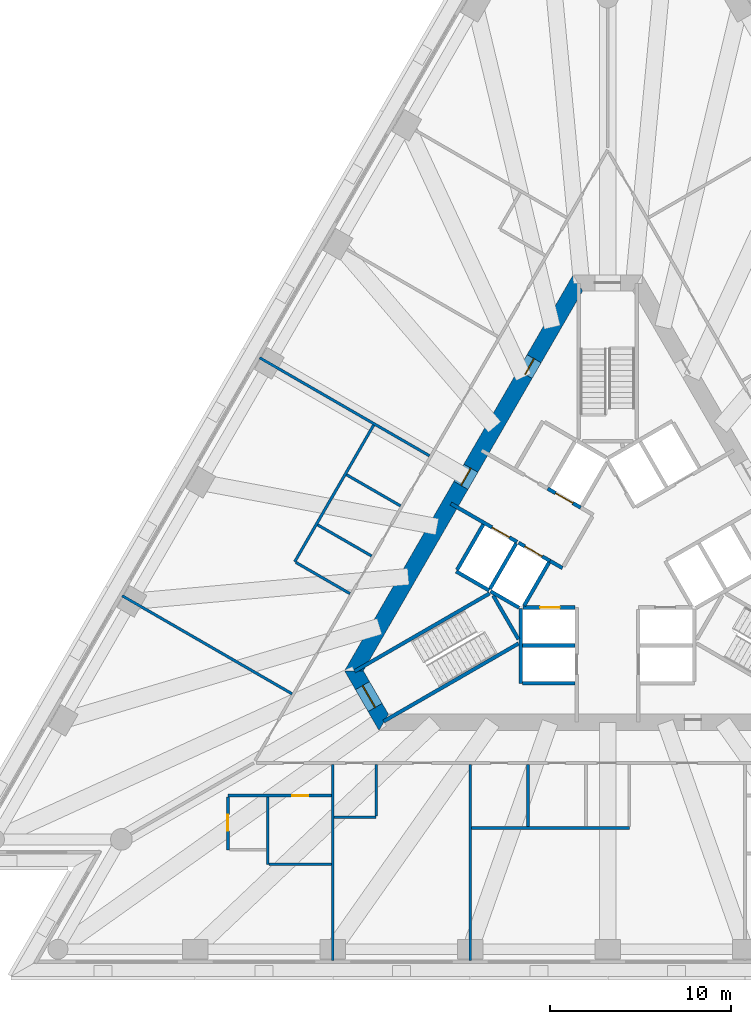
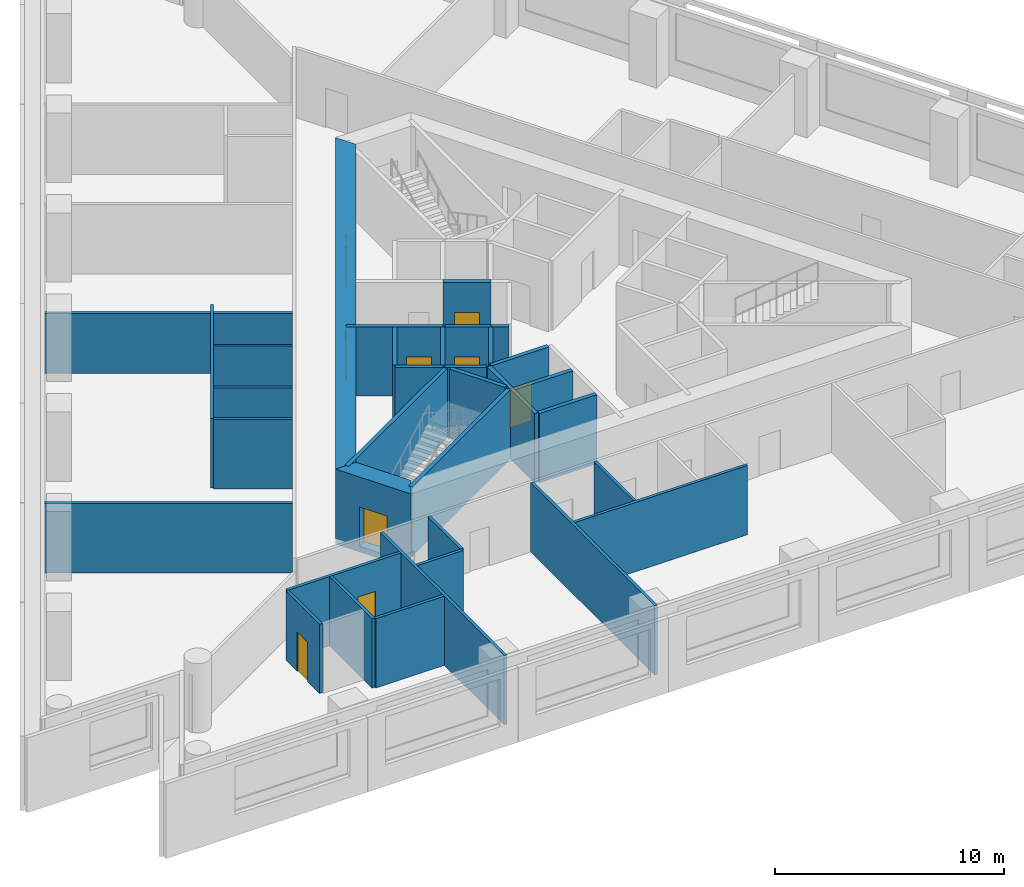
# One storey, part 3 of 11: 34 walls, 9 doors, 9 openings.
"""IFC4 building model written with IfcOpenShell, lengths in metres."""

from ifc_helpers import new_model, si_unit, direction, frame, frame_2d, origin, place, context, subcontext, project, spatial, polyline, rectangle, outline, extrude, material, layer, layer_set, type_object, element, fill, save


model = new_model("IFC4")

# Units and contexts
model_context = context("Model", 3, precision=1e-05, world=origin(), true_north=direction((0.0, 1.0)))
body_context = subcontext(model_context, "Body", "Model", "MODEL_VIEW")
ifc_project = project(units=[si_unit("LENGTHUNIT", "METRE"), si_unit("AREAUNIT", "SQUARE_METRE"), si_unit("VOLUMEUNIT", "CUBIC_METRE"), si_unit("PLANEANGLEUNIT", "RADIAN"), si_unit("MASSUNIT", "GRAM", prefix="KILO")], contexts=[model_context])

# Site, building, storey
site_placement = place(None, origin())
site = spatial("IfcSite", under=ifc_project, at=site_placement, CompositionType="ELEMENT")
building_placement = place(site_placement, origin())
building = spatial("IfcBuilding", under=site, at=building_placement, Name="Triada Interchange Tower", CompositionType="ELEMENT")
storey_placement = place(building_placement, frame((0.0, 0.0, 39.300048828125)))
storey = spatial("IfcBuildingStorey", under=building, at=storey_placement, Name="L07", CompositionType="ELEMENT", Elevation=39.300048828125)

# Walls
ifc_material_1 = material(Name="Concrete C30/37", Category="concrete")
ifc_layer_1 = layer(ifc_material_1, 0.199951171875)
ifc_layer_set_1 = layer_set([ifc_layer_1], Name="CORE WALL 200 EI 120")
wall_type_1 = type_object("IfcWallType", Name="CORE WALL 200 EI 120", PredefinedType="SOLIDWALL", material=ifc_layer_set_1)
wall_1_placement = place(storey_placement, frame((-8.3759765625, -0.70703125, 0.0), z_axis=(0.0, 0.0, 1.0), x_axis=(0.866067520717, -0.499927044236, 0.0)))
element("IfcWall", 1, at=wall_1_placement, inside=storey, type_object=wall_type_1, Name="Wall L06 46", PredefinedType="SOLIDWALL", context=body_context, shape_type="SweptSolid", body=[
    extrude(rectangle(XDim=2.100341796875, YDim=0.199951171875, at=frame_2d((1.05029296875, 0.0))), origin(), (0.0, 0.0, 1.0), 3.699951171875),
])
wall_2_placement = place(storey_placement, frame((-8.325927734375, -0.6201171875, 0.0), z_axis=(0.0, 0.0, 1.0), x_axis=(0.500023687443, 0.866011727401, 0.0)))
element("IfcWall", 2, at=wall_2_placement, inside=storey, type_object=wall_type_1, Name="Wall L06 47", PredefinedType="SOLIDWALL", context=body_context, shape_type="SweptSolid", body=[
    extrude(rectangle(XDim=2.899658203125, YDim=0.199951171875, at=frame_2d((1.44970703125, 0.0))), origin(), (0.0, 0.0, 1.0), 3.699951171875),
])
wall_3_placement = place(storey_placement, frame((-4.699951171875, -4.800048828125, 0.0), z_axis=(0.0, 0.0, 1.0), x_axis=(1.0, 0.0, 0.0)))
element("IfcWall", 3, at=wall_3_placement, inside=storey, type_object=wall_type_1, Name="Wall L06 48", PredefinedType="SOLIDWALL", context=body_context, shape_type="SweptSolid", body=[
    extrude(rectangle(XDim=2.89990234375, YDim=0.199951171875, at=frame_2d((1.449951171875, 0.0))), origin(), (0.0, 0.0, 1.0), 3.699951171875),
])
wall_4_placement = place(storey_placement, frame((-4.800048828125, -6.89990234375, 0.0), z_axis=(0.0, 0.0, 1.0), x_axis=(0.0, 1.0, 0.0)))
element("IfcWall", 4, at=wall_4_placement, inside=storey, type_object=wall_type_1, Name="Wall L06 50", PredefinedType="SOLIDWALL", context=body_context, shape_type="SweptSolid", body=[
    extrude(rectangle(XDim=4.130859375, YDim=0.199951171875, at=frame_2d((2.0654296875, 0.0))), origin(), (0.0, 0.0, 1.0), 3.699951171875),
])
wall_5_placement = place(storey_placement, frame((-4.699951171875, -6.89990234375, 0.0), z_axis=(0.0, 0.0, 1.0), x_axis=(1.0, 0.0, 0.0)))
element("IfcWall", 5, at=wall_5_placement, inside=storey, type_object=wall_type_1, Name="Wall L06 51", PredefinedType="SOLIDWALL", context=body_context, shape_type="SweptSolid", body=[
    extrude(rectangle(XDim=2.89990234375, YDim=0.199951171875, at=frame_2d((1.449951171875, 0.0))), origin(), (0.0, 0.0, 1.0), 3.699951171875),
])

# Wall, opening, door
wall_6_placement = place(storey_placement, frame((-4.676025390625, -2.699951171875, 0.0), z_axis=(0.0, 0.0, 1.0), x_axis=(1.0, 0.0, 0.0)))
wall_6 = element("IfcWall", 6, at=wall_6_placement, inside=storey, type_object=wall_type_1, Name="Wall L06 54", PredefinedType="SOLIDWALL", context=body_context, shape_type="SweptSolid", body=[
    extrude(rectangle(XDim=2.873046875, YDim=0.199951171875, at=frame_2d((1.4365234375, 0.0))), origin(), (0.0, 0.0, 1.0), 3.699951171875),
])
opening_1_placement = place(wall_6_placement, frame((0.93701171875, 0.0, 0.0)))
opening_1 = element("IfcOpeningElement", 7, at=opening_1_placement, cuts=wall_6, Name="Opening LD-LR3", PredefinedType="OPENING", context=body_context, shape_type="SweptSolid", body=[
    extrude(rectangle(XDim=1.10009765625, YDim=2.10009765625, at=frame_2d((0.550048828125, 1.050048828125))), frame((0.0, 0.10986328125, 0.0), z_axis=(0.0, -1.0, 0.0), x_axis=(1.0, 0.0, 0.0)), (0.0, 0.0, 1.0), 0.219970703125),
])
ifc_material_2 = material(Name="Steel S235 door leaf", Category="steel")
door_type_1 = type_object("IfcDoorType", Name="LIFT LANDING DOOR 1100 EI 120", OperationType="SLIDING_TO_LEFT", PredefinedType="DOOR", material=ifc_material_2)
door_1_placement = place(opening_1_placement, origin())
door_1 = element("IfcDoor", 8, at=door_1_placement, inside=storey, type_object=door_type_1, Name="LR3 landing door L07", OperationType="SLIDING_TO_LEFT", OverallHeight=2.10009765625, OverallWidth=1.10009765625, PredefinedType="DOOR", context=body_context, shape_type="SweptSolid", body=[
    extrude(rectangle(XDim=1.10009765625, YDim=2.10009765625, at=frame_2d((0.550048828125, 1.050048828125))), frame((0.0, 0.02490234375, 0.0), z_axis=(0.0, -1.0, 0.0), x_axis=(1.0, 0.0, 0.0)), (0.0, 0.0, 1.0), 0.050048828125),
])
fill(opening_1, door_1)

ifc_layer_2 = layer(ifc_material_1, 0.199951171875)
ifc_layer_set_2 = layer_set([ifc_layer_2], Name="CORE WALL 200 EI 180")
wall_type_2 = type_object("IfcWallType", Name="CORE WALL 200 EI 180", PredefinedType="SOLIDWALL", material=ifc_layer_set_2)
wall_7_placement = place(storey_placement, frame((-8.669921875, 3.04296875, 0.0), z_axis=(0.0, 0.0, 1.0), x_axis=(0.866029956157, -0.499992114976, 0.0)))
wall_7 = element("IfcWall", 9, at=wall_7_placement, inside=storey, type_object=wall_type_2, Name="Wall L06 68", PredefinedType="SOLIDWALL", context=body_context, shape_type="SweptSolid", body=[
    extrude(rectangle(XDim=4.23193359375, YDim=0.199951171875, at=frame_2d((2.115966796875, 0.0))), origin(), (0.0, 0.0, 1.0), 3.699951171875),
])
opening_2_placement = place(wall_7_placement, frame((2.6298828125, 0.0, 0.0)))
opening_2 = element("IfcOpeningElement", 10, at=opening_2_placement, cuts=wall_7, Name="Opening LD-SV1", PredefinedType="OPENING", context=body_context, shape_type="SweptSolid", body=[
    extrude(rectangle(XDim=1.10009765625, YDim=2.10009765625, at=frame_2d((0.550048828125, 1.050048828125))), frame((0.0, 0.10986328125, 0.0), z_axis=(0.0, -1.0, 0.0), x_axis=(1.0, 0.0, 0.0)), (0.0, 0.0, 1.0), 0.219970703125),
])
door_2_placement = place(opening_2_placement, origin())
door_2 = element("IfcDoor", 11, at=door_2_placement, inside=storey, type_object=door_type_1, Name="SV1 landing door L07", OperationType="SLIDING_TO_LEFT", OverallHeight=2.10009765625, OverallWidth=1.10009765625, PredefinedType="DOOR", context=body_context, shape_type="SweptSolid", body=[
    extrude(rectangle(XDim=1.10009765625, YDim=2.10009765625, at=frame_2d((0.550048828125, 1.050048828125))), frame((0.0, 0.02490234375, 0.0), z_axis=(0.0, -1.0, 0.0), x_axis=(1.0, 0.0, 0.0)), (0.0, 0.0, 1.0), 0.050048828125),
])
fill(opening_2, door_2)

# Walls
wall_8_placement = place(storey_placement, frame((-3.18798828125, -0.1220703125, 0.0), z_axis=(0.0, 0.0, 1.0), x_axis=(0.865705793592, -0.50055317294, 0.0)))
element("IfcWall", 12, at=wall_8_placement, inside=storey, type_object=wall_type_2, Name="Wall L06 69", PredefinedType="SOLIDWALL", context=body_context, shape_type="SweptSolid", body=[
    extrude(rectangle(XDim=0.796875, YDim=0.199951171875, at=frame_2d((0.3984375, 0.0))), origin(), (0.0, 0.0, 1.0), 3.699951171875),
])
wall_9_placement = place(storey_placement, frame((-6.507080078125, -1.669921875, 0.0), z_axis=(0.0, 0.0, 1.0), x_axis=(0.50012328804, 0.865954211699, 0.0)))
element("IfcWall", 13, at=wall_9_placement, inside=storey, type_object=wall_type_2, Name="Shaft wall FF1 L06 75", PredefinedType="SOLIDWALL", context=body_context, shape_type="SweptSolid", body=[
    extrude(rectangle(XDim=2.899658203125, YDim=0.199951171875, at=frame_2d((1.44970703125, 0.0))), origin(), (0.0, 0.0, 1.0), 3.699951171875),
])
wall_10_placement = place(storey_placement, frame((-6.469970703125, -1.806884765625, 0.0), z_axis=(0.0, 0.0, 1.0), x_axis=(0.865883195159, -0.500246231712, 0.0)))
element("IfcWall", 14, at=wall_10_placement, inside=storey, type_object=wall_type_2, Name="Shaft wall FF1 L06 76", PredefinedType="SOLIDWALL", context=body_context, shape_type="SweptSolid", body=[
    extrude(rectangle(XDim=1.8154296875, YDim=0.199951171875, at=frame_2d((0.90771484375, 0.0))), origin(), (0.0, 0.0, 1.0), 3.699951171875),
])

# Wall, opening, door
wall_11_placement = place(storey_placement, frame((-4.922119140625, 0.87890625, 0.0), z_axis=(0.0, 0.0, 1.0), x_axis=(0.866073918653, -0.499915960366, 0.0)))
wall_11 = element("IfcWall", 15, at=wall_11_placement, inside=storey, type_object=wall_type_2, Name="Shaft wall FF1 L06 77", PredefinedType="SOLIDWALL", context=body_context, shape_type="SweptSolid", body=[
    extrude(rectangle(XDim=2.002197265625, YDim=0.199951171875, at=frame_2d((1.0009765625, 0.0))), origin(), (0.0, 0.0, 1.0), 3.699951171875),
])
opening_3_placement = place(wall_11_placement, frame((0.402099609375, 0.0, 0.0)))
opening_3 = element("IfcOpeningElement", 16, at=opening_3_placement, cuts=wall_11, Name="Opening LD-FF1", PredefinedType="OPENING", context=body_context, shape_type="SweptSolid", body=[
    extrude(rectangle(XDim=1.10009765625, YDim=2.10009765625, at=frame_2d((0.550048828125, 1.050048828125))), frame((0.0, 0.10986328125, 0.0), z_axis=(0.0, -1.0, 0.0), x_axis=(1.0, 0.0, 0.0)), (0.0, 0.0, 1.0), 0.219970703125),
])
door_3_placement = place(opening_3_placement, origin())
door_3 = element("IfcDoor", 17, at=door_3_placement, inside=storey, type_object=door_type_1, Name="FF1 landing door L07", OperationType="SLIDING_TO_LEFT", OverallHeight=2.10009765625, OverallWidth=1.10009765625, PredefinedType="DOOR", context=body_context, shape_type="SweptSolid", body=[
    extrude(rectangle(XDim=1.10009765625, YDim=2.10009765625, at=frame_2d((0.550048828125, 1.050048828125))), frame((0.0, 0.02490234375, 0.0), z_axis=(0.0, -1.0, 0.0), x_axis=(1.0, 0.0, 0.0)), (0.0, 0.0, 1.0), 0.050048828125),
])
fill(opening_3, door_3)

# Wall
wall_12_placement = place(storey_placement, frame((-4.618896484375, -2.60009765625, 0.0), z_axis=(0.0, 0.0, 1.0), x_axis=(0.50009492287, 0.865970593103, 0.0)))
element("IfcWall", 18, at=wall_12_placement, inside=storey, type_object=wall_type_2, Name="Shaft wall FF1 L06 78", PredefinedType="SOLIDWALL", context=body_context, shape_type="SweptSolid", body=[
    extrude(rectangle(XDim=2.76123046875, YDim=0.199951171875, at=frame_2d((1.380615234375, 0.0))), origin(), (0.0, 0.0, 1.0), 3.699951171875),
])

# Wall, opening, door
wall_13_placement = place(storey_placement, frame((-3.30908203125, 3.873046875, 0.0), z_axis=(0.0, 0.0, 1.0), x_axis=(0.866098583652, -0.499873227325, 0.0)))
wall_13 = element("IfcWall", 19, at=wall_13_placement, inside=storey, type_object=wall_type_2, Name="Shaft wall FF2 L06 79", PredefinedType="SOLIDWALL", context=body_context, shape_type="SweptSolid", body=[
    extrude(rectangle(XDim=2.1025390625, YDim=0.199951171875, at=frame_2d((1.05126953125, 0.0))), origin(), (0.0, 0.0, 1.0), 3.699951171875),
])
opening_4_placement = place(wall_13_placement, frame((0.501953125, 0.0, 0.0)))
opening_4 = element("IfcOpeningElement", 20, at=opening_4_placement, cuts=wall_13, Name="Opening LD-FF2", PredefinedType="OPENING", context=body_context, shape_type="SweptSolid", body=[
    extrude(rectangle(XDim=1.10009765625, YDim=2.10009765625, at=frame_2d((0.550048828125, 1.050048828125))), frame((0.0, 0.10986328125, 0.0), z_axis=(0.0, -1.0, 0.0), x_axis=(1.0, 0.0, 0.0)), (0.0, 0.0, 1.0), 0.219970703125),
])
door_4_placement = place(opening_4_placement, origin())
door_4 = element("IfcDoor", 21, at=door_4_placement, inside=storey, type_object=door_type_1, Name="FF2 landing door L07", OperationType="SLIDING_TO_LEFT", OverallHeight=2.10009765625, OverallWidth=1.10009765625, PredefinedType="DOOR", context=body_context, shape_type="SweptSolid", body=[
    extrude(rectangle(XDim=1.10009765625, YDim=2.10009765625, at=frame_2d((0.550048828125, 1.050048828125))), frame((0.0, 0.02490234375, 0.0), z_axis=(0.0, -1.0, 0.0), x_axis=(1.0, 0.0, 0.0)), (0.0, 0.0, 1.0), 0.050048828125),
])
fill(opening_4, door_4)

# Walls
ifc_layer_3 = layer(ifc_material_1, 0.199951171875)
ifc_layer_set_3 = layer_set([ifc_layer_3], Name="CORE WALL 200 REI 240")
wall_type_3 = type_object("IfcWallType", Name="CORE WALL 200 REI 240", PredefinedType="SOLIDWALL", material=ifc_layer_set_3)
wall_14_placement = place(storey_placement, frame((-13.989990234375, -6.22900390625, 0.0), z_axis=(0.0, 0.0, 1.0), x_axis=(0.866060059011, 0.499939970583, 0.0)))
element("IfcWall", 22, at=wall_14_placement, inside=storey, type_object=wall_type_3, Name="Wall L06 84", PredefinedType="SOLIDWALL", context=body_context, shape_type="SweptSolid", body=[
    extrude(rectangle(XDim=8.61474609375, YDim=0.199951171875, at=frame_2d((4.307373046875, 0.0))), origin(), (0.0, 0.0, 1.0), 3.699951171875),
])
wall_15_placement = place(storey_placement, frame((-6.3291015625, -2.0380859375, 0.0), z_axis=(0.0, 0.0, 1.0), x_axis=(0.500200581029, -0.865909567298, 0.0)))
element("IfcWall", 23, at=wall_15_placement, inside=storey, type_object=wall_type_3, Name="Wall L06 85", PredefinedType="SOLIDWALL", context=body_context, shape_type="SweptSolid", body=[
    extrude(rectangle(XDim=2.799072265625, YDim=0.199951171875, at=frame_2d((1.3994140625, 0.0))), origin(), (0.0, 0.0, 1.0), 3.699951171875),
])
wall_16_placement = place(storey_placement, frame((-12.389892578125, -9.0009765625, 0.0), z_axis=(0.0, 0.0, 1.0), x_axis=(0.866010975815, 0.500024989144, 0.0)))
element("IfcWall", 24, at=wall_16_placement, inside=storey, type_object=wall_type_3, Name="Wall L06 86", PredefinedType="SOLIDWALL", context=body_context, shape_type="SweptSolid", body=[
    extrude(rectangle(XDim=8.615234375, YDim=0.199951171875, at=frame_2d((4.3076171875, 0.0))), origin(), (0.0, 0.0, 1.0), 3.699951171875),
])

# Wall, openings, doors
ifc_material_3 = material(Name="Concrete C70/85", Category="concrete")
ifc_layer_4 = layer(ifc_material_3, 0.89990234375)
ifc_layer_set_4 = layer_set([ifc_layer_4], Name="Core wall A 900")
wall_type_4 = type_object("IfcWallType", Name="Core wall A 900", PredefinedType="SHEAR", material=ifc_layer_set_4)
wall_17_placement = place(storey_placement, frame((-1.64501953125, 15.25, -0.300048828125), z_axis=(0.0, 0.0, 1.0), x_axis=(-0.500026485275, -0.866010111964, 0.0)))
wall_17 = element("IfcWall", 25, at=wall_17_placement, inside=storey, type_object=wall_type_4, Name="Core wall WA02 L07", PredefinedType="SHEAR", context=body_context, shape_type="SweptSolid", body=[
    extrude(outline(polyline([(-0.260009765625, -0.449951171875), (1.685302734375, -0.449951171875), (3.63037109375, -0.44970703125), (5.57568359375, -0.44970703125), (7.52099609375, -0.44970703125), (9.466064453125, -0.449462890625), (11.411376953125, -0.449462890625), (13.356689453125, -0.449462890625), (15.302001953125, -0.449462890625), (17.2470703125, -0.44921875), (19.1923828125, -0.44921875), (21.1376953125, -0.44921875), (23.082763671875, -0.448974609375), (25.028076171875, -0.448974609375), (24.509033203125, 0.449951171875), (22.643798828125, 0.449951171875), (20.7783203125, 0.44970703125), (18.9130859375, 0.44970703125), (17.0478515625, 0.44970703125), (15.182373046875, 0.449462890625), (13.317138671875, 0.449462890625), (11.451904296875, 0.449462890625), (9.586669921875, 0.449462890625), (7.72119140625, 0.44921875), (5.85595703125, 0.44921875), (3.99072265625, 0.44921875), (2.125244140625, 0.448974609375), (0.260009765625, 0.448974609375), (-0.260009765625, -0.449951171875)])), origin(), (0.0, 0.0, 1.0), 4.0),
])
opening_5_placement = place(wall_17_placement, frame((11.833984375, 0.0, 0.300048828125)))
opening_5 = element("IfcOpeningElement", 26, at=opening_5_placement, cuts=wall_17, Name="Opening D06-44", PredefinedType="OPENING", context=body_context, shape_type="SweptSolid", body=[
    extrude(rectangle(XDim=1.10009765625, YDim=2.10009765625, at=frame_2d((0.550048828125, 1.050048828125))), frame((0.0, 0.4599609375, 0.0), z_axis=(0.0, -1.0, 0.0), x_axis=(1.0, 0.0, 0.0)), (0.0, 0.0, 1.0), 0.919921875),
])
opening_6_placement = place(wall_17_placement, frame((4.842041015625, 0.0, 0.300048828125)))
opening_6 = element("IfcOpeningElement", 27, at=opening_6_placement, cuts=wall_17, Name="Opening D06-46", PredefinedType="OPENING", context=body_context, shape_type="SweptSolid", body=[
    extrude(rectangle(XDim=1.0, YDim=2.10009765625, at=frame_2d((0.5, 1.050048828125))), frame((0.0, 0.4599609375, 0.0), z_axis=(0.0, -1.0, 0.0), x_axis=(1.0, 0.0, 0.0)), (0.0, 0.0, 1.0), 0.919921875),
])
door_type_2 = type_object("IfcDoorType", Name="FIRE LOBBY DOOR 1100 EI2 90-C5S200", OperationType="NOTDEFINED", PredefinedType="DOOR", material=ifc_material_2)
door_5_placement = place(opening_5_placement, origin())
door_5 = element("IfcDoor", 28, at=door_5_placement, inside=storey, type_object=door_type_2, Name="Door D06-44 L07", OperationType="SINGLE_SWING_LEFT", OverallHeight=2.10009765625, OverallWidth=1.10009765625, PredefinedType="DOOR", context=body_context, shape_type="SweptSolid", body=[
    extrude(rectangle(XDim=1.10009765625, YDim=2.10009765625, at=frame_2d((0.550048828125, 1.050048828125))), frame((0.0, 0.02490234375, 0.0), z_axis=(0.0, -1.0, 0.0), x_axis=(1.0, 0.0, 0.0)), (0.0, 0.0, 1.0), 0.050048828125),
])
fill(opening_5, door_5)
door_type_3 = type_object("IfcDoorType", Name="SERVICE DOOR 1000 EI2 45-C5S200", OperationType="NOTDEFINED", PredefinedType="DOOR", material=ifc_material_2)
door_6_placement = place(opening_6_placement, origin())
door_6 = element("IfcDoor", 29, at=door_6_placement, inside=storey, type_object=door_type_3, Name="Door D06-46 L07", OperationType="SINGLE_SWING_LEFT", OverallHeight=2.10009765625, OverallWidth=1.0, PredefinedType="DOOR", context=body_context, shape_type="SweptSolid", body=[
    extrude(rectangle(XDim=1.0, YDim=2.10009765625, at=frame_2d((0.5, 1.050048828125))), frame((0.0, 0.02490234375, 0.0), z_axis=(0.0, -1.0, 0.0), x_axis=(1.0, 0.0, 0.0)), (0.0, 0.0, 1.0), 0.050048828125),
])
fill(opening_6, door_6)

# Wall, opening, door
wall_18_placement = place(storey_placement, frame((-14.030029296875, -6.199951171875, -0.300048828125), z_axis=(0.0, 0.0, 1.0), x_axis=(0.500111984565, -0.865960739811, 0.0)))
wall_18 = element("IfcWall", 30, at=wall_18_placement, inside=storey, type_object=wall_type_4, Name="Core wall WA03 L07", PredefinedType="SHEAR", context=body_context, shape_type="SweptSolid", body=[
    extrude(outline(polyline([(-0.260009765625, -0.448974609375), (1.6455078125, -0.449462890625), (3.551025390625, -0.449951171875), (3.031982421875, 0.449951171875), (1.64599609375, 0.449951171875), (0.260009765625, 0.449951171875), (-0.260009765625, -0.448974609375)])), origin(), (0.0, 0.0, 1.0), 4.0),
])
opening_7_placement = place(wall_18_placement, frame((0.946044921875, 0.0, 0.300048828125)))
opening_7 = element("IfcOpeningElement", 31, at=opening_7_placement, cuts=wall_18, Name="Opening D06-42", PredefinedType="OPENING", context=body_context, shape_type="SweptSolid", body=[
    extrude(rectangle(XDim=1.39990234375, YDim=2.10009765625, at=frame_2d((0.699951171875, 1.050048828125))), frame((0.0, 0.4599609375, 0.0), z_axis=(0.0, -1.0, 0.0), x_axis=(1.0, 0.0, 0.0)), (0.0, 0.0, 1.0), 0.919921875),
])
door_type_4 = type_object("IfcDoorType", Name="STAIR DOOR 1400 EI2 90-C5S200", OperationType="DOUBLE_DOOR_SINGLE_SWING", PredefinedType="DOOR", material=ifc_material_2)
door_7_placement = place(opening_7_placement, origin())
door_7 = element("IfcDoor", 32, at=door_7_placement, inside=storey, type_object=door_type_4, Name="Door D06-42 L07", OperationType="DOUBLE_DOOR_SINGLE_SWING", OverallHeight=2.10009765625, OverallWidth=1.39990234375, PredefinedType="DOOR", context=body_context, shape_type="SweptSolid", body=[
    extrude(rectangle(XDim=1.39990234375, YDim=2.10009765625, at=frame_2d((0.699951171875, 1.050048828125))), frame((0.0, 0.02490234375, 0.0), z_axis=(0.0, -1.0, 0.0), x_axis=(1.0, 0.0, 0.0)), (0.0, 0.0, 1.0), 0.050048828125),
])
fill(opening_7, door_7)

# Walls
ifc_material_4 = material(Name="Gypsum board partition")
ifc_layer_5 = layer(ifc_material_4, 0.14990234375)
ifc_layer_set_5 = layer_set([ifc_layer_5], Name="PARTITION 150 EI 180")
wall_type_5 = type_object("IfcWallType", Name="PARTITION 150 EI 180", PredefinedType="PARTITIONING", material=ifc_layer_set_5)
wall_19_placement = place(storey_placement, frame((-26.843017578125, -2.052001953125, 0.0), z_axis=(0.0, 0.0, 1.0), x_axis=(0.86602515287, -0.500000434597, 0.0)))
element("IfcWall", 33, at=wall_19_placement, inside=storey, type_object=wall_type_5, Name="Wall L06 3", PredefinedType="PARTITIONING", context=body_context, shape_type="SweptSolid", body=[
    extrude(rectangle(XDim=10.84619140625, YDim=0.14990234375, at=frame_2d((5.423095703125, 0.0))), origin(), (0.0, 0.0, 1.0), 3.699951171875),
])
wall_20_placement = place(storey_placement, frame((-19.242919921875, 11.110107421875, 0.0), z_axis=(0.0, 0.0, 1.0), x_axis=(0.866036004841, -0.499981637982, 0.0)))
element("IfcWall", 34, at=wall_20_placement, inside=storey, type_object=wall_type_5, Name="Wall L06 6", PredefinedType="PARTITIONING", context=body_context, shape_type="SweptSolid", body=[
    extrude(rectangle(XDim=10.8447265625, YDim=0.14990234375, at=frame_2d((5.42236328125, 0.0))), origin(), (0.0, 0.0, 1.0), 3.199951171875),
])
wall_21_placement = place(storey_placement, frame((-17.303955078125, -0.1708984375, 0.0), z_axis=(0.0, 0.0, 1.0), x_axis=(0.500054279689, 0.865994063124, 0.0)))
element("IfcWall", 35, at=wall_21_placement, inside=storey, type_object=wall_type_5, Name="Wall L06 8", PredefinedType="PARTITIONING", context=body_context, shape_type="SweptSolid", body=[
    extrude(rectangle(XDim=8.72509765625, YDim=0.14990234375, at=frame_2d((4.362548828125, 0.0))), origin(), (0.0, 0.0, 1.0), 3.699951171875),
])
for number, where, z_axis, x_axis, name in (
    (36, (-17.239013671875, -0.2080078125, 0.0), (0.0, 0.0, 1.0), (0.866031223622, -0.49998991961, 0.0), "Wall L06 9"),
    (37, (-16.0390625, 1.8701171875, 0.0), (0.0, 0.0, 1.0), (0.866031223622, -0.49998991961, 0.0), "Wall L06 10"),
):
    element("IfcWall", number, at=place(storey_placement, frame(where, z_axis=z_axis, x_axis=x_axis)), inside=storey, type_object=wall_type_5, Name=name, PredefinedType="PARTITIONING", context=body_context, shape_type="SweptSolid", body=[
        extrude(rectangle(XDim=3.4501953125, YDim=0.14990234375, at=frame_2d((1.72509765625, 0.0))), origin(), (0.0, 0.0, 1.0), 3.699951171875),
    ])
wall_22_placement = place(storey_placement, frame((-15.197998046875, -22.219970703125, 0.0), z_axis=(0.0, 0.0, 1.0), x_axis=(0.0, 1.0, 0.0)))
element("IfcWall", 38, at=wall_22_placement, inside=storey, type_object=wall_type_5, Name="Wall L06 12", PredefinedType="PARTITIONING", context=body_context, shape_type="SweptSolid", body=[
    extrude(rectangle(XDim=10.844970703125, YDim=0.14990234375, at=frame_2d((5.42236328125, 0.0))), origin(), (0.0, 0.0, 1.0), 3.699951171875),
])
wall_23_placement = place(storey_placement, frame((-15.123046875, -14.300048828125, 0.0), z_axis=(0.0, 0.0, 1.0), x_axis=(1.0, 0.0, 0.0)))
element("IfcWall", 39, at=wall_23_placement, inside=storey, type_object=wall_type_5, Name="Wall L06 13", PredefinedType="PARTITIONING", context=body_context, shape_type="SweptSolid", body=[
    extrude(rectangle(XDim=2.324951171875, YDim=0.14990234375, at=frame_2d((1.16259765625, 0.0))), origin(), (0.0, 0.0, 1.0), 3.699951171875),
])
wall_24_placement = place(storey_placement, frame((-12.798095703125, -14.22509765625, 0.0), z_axis=(0.0, 0.0, 1.0), x_axis=(0.0, 1.0, 0.0)))
element("IfcWall", 40, at=wall_24_placement, inside=storey, type_object=wall_type_5, Name="Wall L06 14", PredefinedType="PARTITIONING", context=body_context, shape_type="SweptSolid", body=[
    extrude(rectangle(XDim=2.85009765625, YDim=0.14990234375, at=frame_2d((1.425048828125, 0.0))), origin(), (0.0, 0.0, 1.0), 3.699951171875),
])
wall_25_placement = place(storey_placement, frame((-14.43896484375, 4.64111328125, 0.0), z_axis=(0.0, 0.0, 1.0), x_axis=(0.866031223622, -0.49998991961, 0.0)))
element("IfcWall", 41, at=wall_25_placement, inside=storey, type_object=wall_type_5, Name="Wall L06 15", PredefinedType="PARTITIONING", context=body_context, shape_type="SweptSolid", body=[
    extrude(rectangle(XDim=3.4501953125, YDim=0.14990234375, at=frame_2d((1.72509765625, 0.0))), origin(), (0.0, 0.0, 1.0), 3.699951171875),
])
wall_26_placement = place(storey_placement, frame((-7.59912109375, -22.219970703125, 0.0), z_axis=(0.0, 0.0, 1.0), x_axis=(0.0, 1.0, 0.0)))
element("IfcWall", 42, at=wall_26_placement, inside=storey, type_object=wall_type_5, Name="Wall L06 17", PredefinedType="PARTITIONING", context=body_context, shape_type="SweptSolid", body=[
    extrude(rectangle(XDim=10.844970703125, YDim=0.14990234375, at=frame_2d((5.42236328125, 0.0))), origin(), (0.0, 0.0, 1.0), 3.699951171875),
])
wall_27_placement = place(storey_placement, frame((-7.52392578125, -14.89990234375, 0.0), z_axis=(0.0, 0.0, 1.0), x_axis=(1.0, 0.0, 0.0)))
element("IfcWall", 43, at=wall_27_placement, inside=storey, type_object=wall_type_5, Name="Wall L06 18", PredefinedType="PARTITIONING", context=body_context, shape_type="SweptSolid", body=[
    extrude(rectangle(XDim=8.724853515625, YDim=0.14990234375, at=frame_2d((4.3623046875, 0.0))), origin(), (0.0, 0.0, 1.0), 3.699951171875),
])
wall_28_placement = place(storey_placement, frame((-4.39892578125, -14.824951171875, 0.0), z_axis=(0.0, 0.0, 1.0), x_axis=(0.0, 1.0, 0.0)))
element("IfcWall", 44, at=wall_28_placement, inside=storey, type_object=wall_type_5, Name="Wall L06 21", PredefinedType="PARTITIONING", context=body_context, shape_type="SweptSolid", body=[
    extrude(rectangle(XDim=3.449951171875, YDim=0.14990234375, at=frame_2d((1.72509765625, 0.0))), origin(), (0.0, 0.0, 1.0), 3.699951171875),
])
ifc_layer_6 = layer(ifc_material_4, 0.14990234375)
ifc_layer_set_6 = layer_set([ifc_layer_6], Name="PARTITION 150 EI 90")
wall_type_6 = type_object("IfcWallType", Name="PARTITION 150 EI 90", PredefinedType="PARTITIONING", material=ifc_layer_set_6)
wall_29_placement = place(storey_placement, frame((-18.798095703125, -16.89990234375, 0.0), z_axis=(0.0, 0.0, 1.0), x_axis=(0.0, 1.0, 0.0)))
element("IfcWall", 45, at=wall_29_placement, inside=storey, type_object=wall_type_6, Name="Wall L06 33", PredefinedType="PARTITIONING", context=body_context, shape_type="SweptSolid", body=[
    extrude(rectangle(XDim=3.724853515625, YDim=0.14990234375, at=frame_2d((1.8623046875, 0.0))), origin(), (0.0, 0.0, 1.0), 3.699951171875),
])

# Wall, opening, door
wall_30_placement = place(storey_placement, frame((-20.998046875, -13.10009765625, 0.0), z_axis=(0.0, 0.0, 1.0), x_axis=(1.0, 0.0, 0.0)))
wall_30 = element("IfcWall", 46, at=wall_30_placement, inside=storey, type_object=wall_type_6, Name="Wall L06 34", PredefinedType="PARTITIONING", context=body_context, shape_type="SweptSolid", body=[
    extrude(rectangle(XDim=5.72509765625, YDim=0.14990234375, at=frame_2d((2.862548828125, 0.0))), origin(), (0.0, 0.0, 1.0), 3.699951171875),
])
opening_8_placement = place(wall_30_placement, frame((3.550048828125, 0.0, 0.0)))
opening_8 = element("IfcOpeningElement", 47, at=opening_8_placement, cuts=wall_30, Name="Opening D06-12", PredefinedType="OPENING", context=body_context, shape_type="SweptSolid", body=[
    extrude(rectangle(XDim=0.89990234375, YDim=2.10009765625, at=frame_2d((0.449951171875, 1.050048828125))), frame((0.0, 0.0849609375, 0.0), z_axis=(0.0, -1.0, 0.0), x_axis=(1.0, 0.0, 0.0)), (0.0, 0.0, 1.0), 0.169921875),
])
door_type_5 = type_object("IfcDoorType", Name="ROOM DOOR 900 EI2 45-C5S200", OperationType="NOTDEFINED", PredefinedType="DOOR", material=ifc_material_2)
door_8_placement = place(opening_8_placement, origin())
door_8 = element("IfcDoor", 48, at=door_8_placement, inside=storey, type_object=door_type_5, Name="Door D06-12 L07", OperationType="SINGLE_SWING_LEFT", OverallHeight=2.10009765625, OverallWidth=0.89990234375, PredefinedType="DOOR", context=body_context, shape_type="SweptSolid", body=[
    extrude(rectangle(XDim=0.89990234375, YDim=2.10009765625, at=frame_2d((0.449951171875, 1.050048828125))), frame((0.0, 0.02490234375, 0.0), z_axis=(0.0, -1.0, 0.0), x_axis=(1.0, 0.0, 0.0)), (0.0, 0.0, 1.0), 0.050048828125),
])
fill(opening_8, door_8)

wall_31_placement = place(storey_placement, frame((-20.998046875, -16.10009765625, 0.0), z_axis=(0.0, 0.0, 1.0), x_axis=(0.0, 1.0, 0.0)))
wall_31 = element("IfcWall", 49, at=wall_31_placement, inside=storey, type_object=wall_type_6, Name="Wall L06 36", PredefinedType="PARTITIONING", context=body_context, shape_type="SweptSolid", body=[
    extrude(rectangle(XDim=2.925048828125, YDim=0.14990234375, at=frame_2d((1.46240234375, 0.0))), origin(), (0.0, 0.0, 1.0), 3.699951171875),
])
opening_9_placement = place(wall_31_placement, frame((1.050048828125, 0.0, 0.0)))
opening_9 = element("IfcOpeningElement", 50, at=opening_9_placement, cuts=wall_31, Name="Opening D06-13", PredefinedType="OPENING", context=body_context, shape_type="SweptSolid", body=[
    extrude(rectangle(XDim=0.89990234375, YDim=2.10009765625, at=frame_2d((0.449951171875, 1.050048828125))), frame((0.0, 0.0849609375, 0.0), z_axis=(0.0, -1.0, 0.0), x_axis=(1.0, 0.0, 0.0)), (0.0, 0.0, 1.0), 0.169921875),
])
door_type_6 = type_object("IfcDoorType", Name="SERVICE DOOR 900 EI2 45-C5S200", OperationType="NOTDEFINED", PredefinedType="DOOR", material=ifc_material_2)
door_9_placement = place(opening_9_placement, origin())
door_9 = element("IfcDoor", 51, at=door_9_placement, inside=storey, type_object=door_type_6, Name="Door D06-13 L07", OperationType="SINGLE_SWING_LEFT", OverallHeight=2.10009765625, OverallWidth=0.89990234375, PredefinedType="DOOR", context=body_context, shape_type="SweptSolid", body=[
    extrude(rectangle(XDim=0.89990234375, YDim=2.10009765625, at=frame_2d((0.449951171875, 1.050048828125))), frame((0.0, 0.02490234375, 0.0), z_axis=(0.0, -1.0, 0.0), x_axis=(1.0, 0.0, 0.0)), (0.0, 0.0, 1.0), 0.050048828125),
])
fill(opening_9, door_9)

# Wall
wall_32_placement = place(storey_placement, frame((-18.722900390625, -16.89990234375, 0.0), z_axis=(0.0, 0.0, 1.0), x_axis=(1.0, 0.0, 0.0)))
element("IfcWall", 52, at=wall_32_placement, inside=storey, type_object=wall_type_6, Name="Wall L06 38", PredefinedType="PARTITIONING", context=body_context, shape_type="SweptSolid", body=[
    extrude(rectangle(XDim=3.449951171875, YDim=0.14990234375, at=frame_2d((1.72509765625, 0.0))), origin(), (0.0, 0.0, 1.0), 3.699951171875),
])

save(model, "model.ifc")
